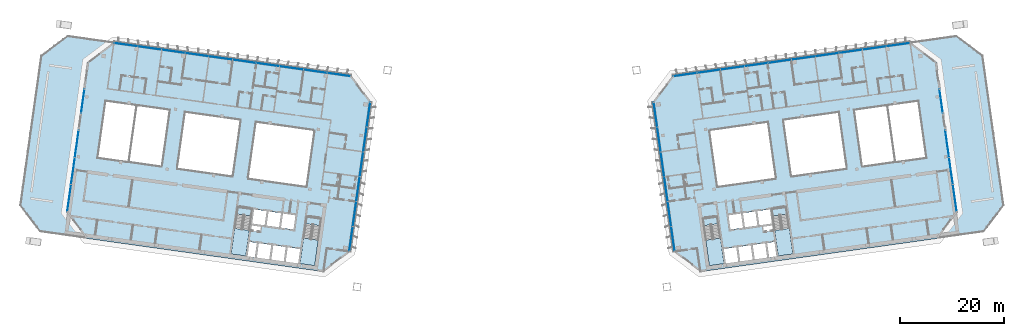
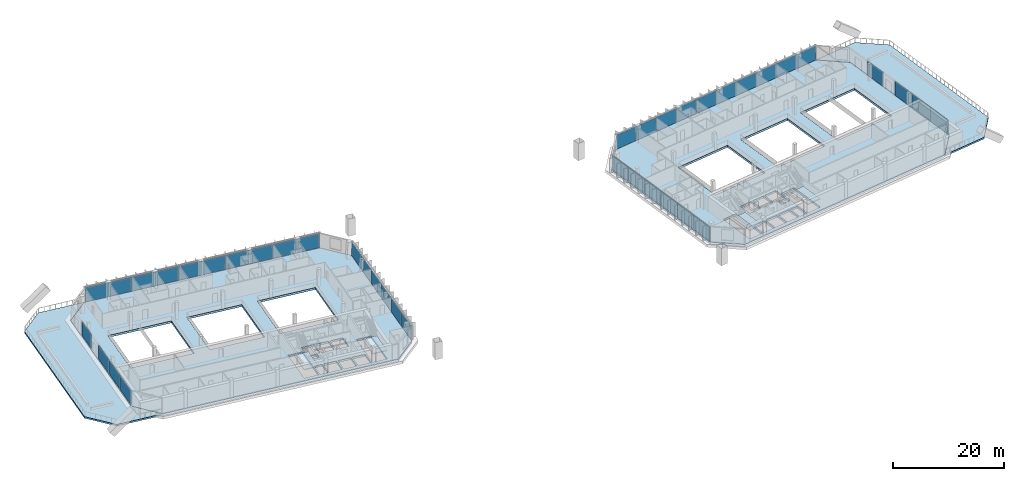
# One storey, part 12 of 23: 40 plates, 8 slabs, 12 elements without a shape of their own.
"""IFC4 building model written with IfcOpenShell, lengths in metres."""

from ifc_helpers import new_model, si_unit, direction, frame, origin, origin_2d, place, context, subcontext, project, spatial, polyline, rectangle, outline, extrude, material, layer, layer_set, type_object, element, aggregate, save


model = new_model("IFC4")

# Units and contexts
model_context = context("Model", 3, precision=1e-05, world=origin(), true_north=direction((0.0, 1.0)))
body_context = subcontext(model_context, "Body", "Model", "MODEL_VIEW")
ifc_project = project(units=[si_unit("LENGTHUNIT", "METRE"), si_unit("AREAUNIT", "SQUARE_METRE"), si_unit("VOLUMEUNIT", "CUBIC_METRE"), si_unit("PLANEANGLEUNIT", "RADIAN"), si_unit("MASSUNIT", "GRAM", prefix="KILO")], contexts=[model_context])

# Site, building, storey
site_placement = place(None, origin())
site = spatial("IfcSite", under=ifc_project, at=site_placement, CompositionType="ELEMENT")
building_placement = place(site_placement, origin())
building = spatial("IfcBuilding", under=site, at=building_placement, Name="Mirante Cascada Hotel Towers", CompositionType="ELEMENT")
storey_placement = place(building_placement, frame((0.0, 0.0, 180.2)))
storey = spatial("IfcBuildingStorey", under=building, at=storey_placement, Name="L42", CompositionType="ELEMENT", Elevation=180.2)

# Curtain wall, plates
ifc_material_1 = material(Name="Aluminium mullion and transom frame with clear laminated glass", Category="aluminium")
curtain_wall_type_1 = type_object("IfcCurtainWallType", Name="Ribbon curtain wall ECW1", PredefinedType="NOTDEFINED", material=ifc_material_1)
curtain_wall_1_placement = place(storey_placement, origin())
curtain_wall_1 = element("IfcCurtainWall", 1, at=curtain_wall_1_placement, inside=storey, type_object=curtain_wall_type_1, Name="Front ribbon wall T1 L42", PredefinedType="NOTDEFINED")
ifc_material_2 = material(Name="Clear laminated glass", Category="glass")
ifc_layer_1 = layer(ifc_material_2, 0.036)
ifc_layer_set_1 = layer_set([ifc_layer_1], Name="ECW1 glass panel 36")
plate_type_1 = type_object("IfcPlateType", Name="ECW1 glass panel 36", PredefinedType="CURTAIN_PANEL", material=ifc_layer_set_1)
plate_1_placement = place(storey_placement, frame((-74.0483, 23.2258, 0.1), z_axis=(0.0, 0.0, 1.0), x_axis=(0.9902681, -0.1391731, 0.0)))
plate_1 = element("IfcPlate", 2, at=plate_1_placement, type_object=plate_type_1, Name="ECW1 panel 1", PredefinedType="CURTAIN_PANEL", context=body_context, shape_type="SweptSolid", body=[
    extrude(rectangle(XDim=4.4849, YDim=0.036, at=origin_2d()), origin(), (0.0, 0.0, 1.0), 3.15),
])
plate_2_placement = place(storey_placement, frame((-69.5267, 22.5904, 0.1), z_axis=(0.0, 0.0, 1.0), x_axis=(0.9902681, -0.1391731, 0.0)))
plate_2 = element("IfcPlate", 3, at=plate_2_placement, type_object=plate_type_1, Name="ECW1 panel 2", PredefinedType="CURTAIN_PANEL", context=body_context, shape_type="SweptSolid", body=[
    extrude(rectangle(XDim=4.5174, YDim=0.036, at=origin_2d()), origin(), (0.0, 0.0, 1.0), 3.15),
])
plate_3_placement = place(storey_placement, frame((-64.9889, 21.9526, 0.1), z_axis=(0.0, 0.0, 1.0), x_axis=(0.9902681, -0.1391731, 0.0)))
plate_3 = element("IfcPlate", 4, at=plate_3_placement, type_object=plate_type_1, Name="ECW1 panel 3", PredefinedType="CURTAIN_PANEL", context=body_context, shape_type="SweptSolid", body=[
    extrude(rectangle(XDim=4.5174, YDim=0.036, at=origin_2d()), origin(), (0.0, 0.0, 1.0), 3.15),
])
plate_4_placement = place(storey_placement, frame((-60.4511, 21.3149, 0.1), z_axis=(0.0, 0.0, 1.0), x_axis=(0.9902681, -0.1391731, 0.0)))
plate_4 = element("IfcPlate", 5, at=plate_4_placement, type_object=plate_type_1, Name="ECW1 panel 4", PredefinedType="CURTAIN_PANEL", context=body_context, shape_type="SweptSolid", body=[
    extrude(rectangle(XDim=4.5174, YDim=0.036, at=origin_2d()), origin(), (0.0, 0.0, 1.0), 3.15),
])
plate_5_placement = place(storey_placement, frame((-55.9133, 20.6771, 0.1), z_axis=(0.0, 0.0, 1.0), x_axis=(0.9902681, -0.1391731, 0.0)))
plate_5 = element("IfcPlate", 6, at=plate_5_placement, type_object=plate_type_1, Name="ECW1 panel 5", PredefinedType="CURTAIN_PANEL", context=body_context, shape_type="SweptSolid", body=[
    extrude(rectangle(XDim=4.5174, YDim=0.036, at=origin_2d()), origin(), (0.0, 0.0, 1.0), 3.15),
])
plate_6_placement = place(storey_placement, frame((-51.3755, 20.0394, 0.1), z_axis=(0.0, 0.0, 1.0), x_axis=(0.9902681, -0.1391731, 0.0)))
plate_6 = element("IfcPlate", 7, at=plate_6_placement, type_object=plate_type_1, Name="ECW1 panel 6", PredefinedType="CURTAIN_PANEL", context=body_context, shape_type="SweptSolid", body=[
    extrude(rectangle(XDim=4.5174, YDim=0.036, at=origin_2d()), origin(), (0.0, 0.0, 1.0), 3.15),
])
plate_7_placement = place(storey_placement, frame((-46.8378, 19.4016, 0.1), z_axis=(0.0, 0.0, 1.0), x_axis=(0.9902681, -0.1391731, 0.0)))
plate_7 = element("IfcPlate", 8, at=plate_7_placement, type_object=plate_type_1, Name="ECW1 panel 7", PredefinedType="CURTAIN_PANEL", context=body_context, shape_type="SweptSolid", body=[
    extrude(rectangle(XDim=4.5174, YDim=0.036, at=origin_2d()), origin(), (0.0, 0.0, 1.0), 3.15),
])
plate_8_placement = place(storey_placement, frame((-42.3, 18.7639, 0.1), z_axis=(0.0, 0.0, 1.0), x_axis=(0.9902681, -0.1391731, 0.0)))
plate_8 = element("IfcPlate", 9, at=plate_8_placement, type_object=plate_type_1, Name="ECW1 panel 8", PredefinedType="CURTAIN_PANEL", context=body_context, shape_type="SweptSolid", body=[
    extrude(rectangle(XDim=4.5174, YDim=0.036, at=origin_2d()), origin(), (0.0, 0.0, 1.0), 3.15),
])
plate_9_placement = place(storey_placement, frame((-37.7622, 18.1262, 0.1), z_axis=(0.0, 0.0, 1.0), x_axis=(0.9902681, -0.1391731, 0.0)))
plate_9 = element("IfcPlate", 10, at=plate_9_placement, type_object=plate_type_1, Name="ECW1 panel 9", PredefinedType="CURTAIN_PANEL", context=body_context, shape_type="SweptSolid", body=[
    extrude(rectangle(XDim=4.5174, YDim=0.036, at=origin_2d()), origin(), (0.0, 0.0, 1.0), 3.15),
])
plate_10_placement = place(storey_placement, frame((-33.2405, 17.4907, 0.1), z_axis=(0.0, 0.0, 1.0), x_axis=(0.9902681, -0.1391731, 0.0)))
plate_10 = element("IfcPlate", 11, at=plate_10_placement, type_object=plate_type_1, Name="ECW1 panel 10", PredefinedType="CURTAIN_PANEL", context=body_context, shape_type="SweptSolid", body=[
    extrude(rectangle(XDim=4.4849, YDim=0.036, at=origin_2d()), origin(), (0.0, 0.0, 1.0), 3.15),
])
aggregate(curtain_wall_1, [plate_1, plate_2, plate_3, plate_4, plate_5, plate_6, plate_7, plate_8, plate_9, plate_10])

curtain_wall_2_placement = place(storey_placement, origin())
curtain_wall_2 = element("IfcCurtainWall", 12, at=curtain_wall_2_placement, inside=storey, type_object=curtain_wall_type_1, Name="Front ribbon wall T2 L42", PredefinedType="NOTDEFINED")
plate_11_placement = place(storey_placement, frame((74.0483, 23.2258, 0.1), z_axis=(0.0, 0.0, 1.0), x_axis=(-0.9902681, -0.1391731, 0.0)))
plate_11 = element("IfcPlate", 13, at=plate_11_placement, type_object=plate_type_1, Name="ECW1 panel 1", PredefinedType="CURTAIN_PANEL", context=body_context, shape_type="SweptSolid", body=[
    extrude(rectangle(XDim=4.4849, YDim=0.036, at=origin_2d()), origin(), (0.0, 0.0, 1.0), 3.15),
])
plate_12_placement = place(storey_placement, frame((69.5267, 22.5904, 0.1), z_axis=(0.0, 0.0, 1.0), x_axis=(-0.9902681, -0.1391731, 0.0)))
plate_12 = element("IfcPlate", 14, at=plate_12_placement, type_object=plate_type_1, Name="ECW1 panel 2", PredefinedType="CURTAIN_PANEL", context=body_context, shape_type="SweptSolid", body=[
    extrude(rectangle(XDim=4.5174, YDim=0.036, at=origin_2d()), origin(), (0.0, 0.0, 1.0), 3.15),
])
plate_13_placement = place(storey_placement, frame((64.9889, 21.9526, 0.1), z_axis=(0.0, 0.0, 1.0), x_axis=(-0.9902681, -0.1391731, 0.0)))
plate_13 = element("IfcPlate", 15, at=plate_13_placement, type_object=plate_type_1, Name="ECW1 panel 3", PredefinedType="CURTAIN_PANEL", context=body_context, shape_type="SweptSolid", body=[
    extrude(rectangle(XDim=4.5174, YDim=0.036, at=origin_2d()), origin(), (0.0, 0.0, 1.0), 3.15),
])
plate_14_placement = place(storey_placement, frame((60.4511, 21.3149, 0.1), z_axis=(0.0, 0.0, 1.0), x_axis=(-0.9902681, -0.1391731, 0.0)))
plate_14 = element("IfcPlate", 16, at=plate_14_placement, type_object=plate_type_1, Name="ECW1 panel 4", PredefinedType="CURTAIN_PANEL", context=body_context, shape_type="SweptSolid", body=[
    extrude(rectangle(XDim=4.5174, YDim=0.036, at=origin_2d()), origin(), (0.0, 0.0, 1.0), 3.15),
])
plate_15_placement = place(storey_placement, frame((55.9133, 20.6771, 0.1), z_axis=(0.0, 0.0, 1.0), x_axis=(-0.9902681, -0.1391731, 0.0)))
plate_15 = element("IfcPlate", 17, at=plate_15_placement, type_object=plate_type_1, Name="ECW1 panel 5", PredefinedType="CURTAIN_PANEL", context=body_context, shape_type="SweptSolid", body=[
    extrude(rectangle(XDim=4.5174, YDim=0.036, at=origin_2d()), origin(), (0.0, 0.0, 1.0), 3.15),
])
plate_16_placement = place(storey_placement, frame((51.3755, 20.0394, 0.1), z_axis=(0.0, 0.0, 1.0), x_axis=(-0.9902681, -0.1391731, 0.0)))
plate_16 = element("IfcPlate", 18, at=plate_16_placement, type_object=plate_type_1, Name="ECW1 panel 6", PredefinedType="CURTAIN_PANEL", context=body_context, shape_type="SweptSolid", body=[
    extrude(rectangle(XDim=4.5174, YDim=0.036, at=origin_2d()), origin(), (0.0, 0.0, 1.0), 3.15),
])
plate_17_placement = place(storey_placement, frame((46.8378, 19.4016, 0.1), z_axis=(0.0, 0.0, 1.0), x_axis=(-0.9902681, -0.1391731, 0.0)))
plate_17 = element("IfcPlate", 19, at=plate_17_placement, type_object=plate_type_1, Name="ECW1 panel 7", PredefinedType="CURTAIN_PANEL", context=body_context, shape_type="SweptSolid", body=[
    extrude(rectangle(XDim=4.5174, YDim=0.036, at=origin_2d()), origin(), (0.0, 0.0, 1.0), 3.15),
])
plate_18_placement = place(storey_placement, frame((42.3, 18.7639, 0.1), z_axis=(0.0, 0.0, 1.0), x_axis=(-0.9902681, -0.1391731, 0.0)))
plate_18 = element("IfcPlate", 20, at=plate_18_placement, type_object=plate_type_1, Name="ECW1 panel 8", PredefinedType="CURTAIN_PANEL", context=body_context, shape_type="SweptSolid", body=[
    extrude(rectangle(XDim=4.5174, YDim=0.036, at=origin_2d()), origin(), (0.0, 0.0, 1.0), 3.15),
])
plate_19_placement = place(storey_placement, frame((37.7622, 18.1262, 0.1), z_axis=(0.0, 0.0, 1.0), x_axis=(-0.9902681, -0.1391731, 0.0)))
plate_19 = element("IfcPlate", 21, at=plate_19_placement, type_object=plate_type_1, Name="ECW1 panel 9", PredefinedType="CURTAIN_PANEL", context=body_context, shape_type="SweptSolid", body=[
    extrude(rectangle(XDim=4.5174, YDim=0.036, at=origin_2d()), origin(), (0.0, 0.0, 1.0), 3.15),
])
plate_20_placement = place(storey_placement, frame((33.2405, 17.4907, 0.1), z_axis=(0.0, 0.0, 1.0), x_axis=(-0.9902681, -0.1391731, 0.0)))
plate_20 = element("IfcPlate", 22, at=plate_20_placement, type_object=plate_type_1, Name="ECW1 panel 10", PredefinedType="CURTAIN_PANEL", context=body_context, shape_type="SweptSolid", body=[
    extrude(rectangle(XDim=4.4849, YDim=0.036, at=origin_2d()), origin(), (0.0, 0.0, 1.0), 3.15),
])
aggregate(curtain_wall_2, [plate_11, plate_12, plate_13, plate_14, plate_15, plate_16, plate_17, plate_18, plate_19, plate_20])

ifc_material_3 = material(Name="Aluminium mullion and transom frame with clear laminated glass", Category="aluminium")
curtain_wall_type_2 = type_object("IfcCurtainWallType", Name="End ribbon curtain wall ECW2", PredefinedType="NOTDEFINED", material=ifc_material_3)
curtain_wall_3_placement = place(storey_placement, origin())
curtain_wall_3 = element("IfcCurtainWall", 23, at=curtain_wall_3_placement, inside=storey, type_object=curtain_wall_type_2, Name="Inner end wall T1 L42", PredefinedType="NOTDEFINED")
ifc_material_4 = material(Name="Clear laminated glass", Category="glass")
ifc_layer_2 = layer(ifc_material_4, 0.034)
ifc_layer_set_2 = layer_set([ifc_layer_2], Name="ECW2 glass panel 34")
plate_type_2 = type_object("IfcPlateType", Name="ECW2 glass panel 34", PredefinedType="CURTAIN_PANEL", material=ifc_layer_set_2)
plate_21_placement = place(storey_placement, frame((-27.5375, 9.7873, 0.1), z_axis=(0.0, 0.0, 1.0), x_axis=(-0.1391731, -0.9902681, 0.0)))
plate_21 = element("IfcPlate", 24, at=plate_21_placement, type_object=plate_type_2, Name="ECW2 panel 1", PredefinedType="CURTAIN_PANEL", context=body_context, shape_type="SweptSolid", body=[
    extrude(rectangle(XDim=4.7151, YDim=0.034, at=origin_2d()), origin(), (0.0, 0.0, 1.0), 3.15),
])
plate_22_placement = place(storey_placement, frame((-28.2051, 5.0376, 0.1), z_axis=(0.0, 0.0, 1.0), x_axis=(-0.1391731, -0.9902681, 0.0)))
plate_22 = element("IfcPlate", 25, at=plate_22_placement, type_object=plate_type_2, Name="ECW2 panel 2", PredefinedType="CURTAIN_PANEL", context=body_context, shape_type="SweptSolid", body=[
    extrude(rectangle(XDim=4.7476, YDim=0.034, at=origin_2d()), origin(), (0.0, 0.0, 1.0), 3.15),
])
plate_23_placement = place(storey_placement, frame((-28.8748, 0.2718, 0.1), z_axis=(0.0, 0.0, 1.0), x_axis=(-0.1391731, -0.9902681, 0.0)))
plate_23 = element("IfcPlate", 26, at=plate_23_placement, type_object=plate_type_2, Name="ECW2 panel 3", PredefinedType="CURTAIN_PANEL", context=body_context, shape_type="SweptSolid", body=[
    extrude(rectangle(XDim=4.7476, YDim=0.034, at=origin_2d()), origin(), (0.0, 0.0, 1.0), 3.15),
])
plate_24_placement = place(storey_placement, frame((-29.5446, -4.494, 0.1), z_axis=(0.0, 0.0, 1.0), x_axis=(-0.1391731, -0.9902681, 0.0)))
plate_24 = element("IfcPlate", 27, at=plate_24_placement, type_object=plate_type_2, Name="ECW2 panel 4", PredefinedType="CURTAIN_PANEL", context=body_context, shape_type="SweptSolid", body=[
    extrude(rectangle(XDim=4.7476, YDim=0.034, at=origin_2d()), origin(), (0.0, 0.0, 1.0), 3.15),
])
plate_25_placement = place(storey_placement, frame((-30.2144, -9.2597, 0.1), z_axis=(0.0, 0.0, 1.0), x_axis=(-0.1391731, -0.9902681, 0.0)))
plate_25 = element("IfcPlate", 28, at=plate_25_placement, type_object=plate_type_2, Name="ECW2 panel 5", PredefinedType="CURTAIN_PANEL", context=body_context, shape_type="SweptSolid", body=[
    extrude(rectangle(XDim=4.7476, YDim=0.034, at=origin_2d()), origin(), (0.0, 0.0, 1.0), 3.15),
])
plate_26_placement = place(storey_placement, frame((-30.8819, -14.0094, 0.1), z_axis=(0.0, 0.0, 1.0), x_axis=(-0.1391731, -0.9902681, 0.0)))
plate_26 = element("IfcPlate", 29, at=plate_26_placement, type_object=plate_type_2, Name="ECW2 panel 6", PredefinedType="CURTAIN_PANEL", context=body_context, shape_type="SweptSolid", body=[
    extrude(rectangle(XDim=4.7151, YDim=0.034, at=origin_2d()), origin(), (0.0, 0.0, 1.0), 3.15),
])
aggregate(curtain_wall_3, [plate_21, plate_22, plate_23, plate_24, plate_25, plate_26])

curtain_wall_4_placement = place(storey_placement, origin())
curtain_wall_4 = element("IfcCurtainWall", 30, at=curtain_wall_4_placement, inside=storey, type_object=curtain_wall_type_2, Name="Inner end wall T2 L42", PredefinedType="NOTDEFINED")
plate_27_placement = place(storey_placement, frame((27.5375, 9.7873, 0.1), z_axis=(0.0, 0.0, 1.0), x_axis=(0.1391731, -0.9902681, 0.0)))
plate_27 = element("IfcPlate", 31, at=plate_27_placement, type_object=plate_type_2, Name="ECW2 panel 1", PredefinedType="CURTAIN_PANEL", context=body_context, shape_type="SweptSolid", body=[
    extrude(rectangle(XDim=4.7151, YDim=0.034, at=origin_2d()), origin(), (0.0, 0.0, 1.0), 3.15),
])
plate_28_placement = place(storey_placement, frame((28.2051, 5.0376, 0.1), z_axis=(0.0, 0.0, 1.0), x_axis=(0.1391731, -0.9902681, 0.0)))
plate_28 = element("IfcPlate", 32, at=plate_28_placement, type_object=plate_type_2, Name="ECW2 panel 2", PredefinedType="CURTAIN_PANEL", context=body_context, shape_type="SweptSolid", body=[
    extrude(rectangle(XDim=4.7476, YDim=0.034, at=origin_2d()), origin(), (0.0, 0.0, 1.0), 3.15),
])
plate_29_placement = place(storey_placement, frame((28.8748, 0.2718, 0.1), z_axis=(0.0, 0.0, 1.0), x_axis=(0.1391731, -0.9902681, 0.0)))
plate_29 = element("IfcPlate", 33, at=plate_29_placement, type_object=plate_type_2, Name="ECW2 panel 3", PredefinedType="CURTAIN_PANEL", context=body_context, shape_type="SweptSolid", body=[
    extrude(rectangle(XDim=4.7476, YDim=0.034, at=origin_2d()), origin(), (0.0, 0.0, 1.0), 3.15),
])
plate_30_placement = place(storey_placement, frame((29.5446, -4.494, 0.1), z_axis=(0.0, 0.0, 1.0), x_axis=(0.1391731, -0.9902681, 0.0)))
plate_30 = element("IfcPlate", 34, at=plate_30_placement, type_object=plate_type_2, Name="ECW2 panel 4", PredefinedType="CURTAIN_PANEL", context=body_context, shape_type="SweptSolid", body=[
    extrude(rectangle(XDim=4.7476, YDim=0.034, at=origin_2d()), origin(), (0.0, 0.0, 1.0), 3.15),
])
plate_31_placement = place(storey_placement, frame((30.2144, -9.2597, 0.1), z_axis=(0.0, 0.0, 1.0), x_axis=(0.1391731, -0.9902681, 0.0)))
plate_31 = element("IfcPlate", 35, at=plate_31_placement, type_object=plate_type_2, Name="ECW2 panel 5", PredefinedType="CURTAIN_PANEL", context=body_context, shape_type="SweptSolid", body=[
    extrude(rectangle(XDim=4.7476, YDim=0.034, at=origin_2d()), origin(), (0.0, 0.0, 1.0), 3.15),
])
plate_32_placement = place(storey_placement, frame((30.8819, -14.0094, 0.1), z_axis=(0.0, 0.0, 1.0), x_axis=(0.1391731, -0.9902681, 0.0)))
plate_32 = element("IfcPlate", 36, at=plate_32_placement, type_object=plate_type_2, Name="ECW2 panel 6", PredefinedType="CURTAIN_PANEL", context=body_context, shape_type="SweptSolid", body=[
    extrude(rectangle(XDim=4.7151, YDim=0.034, at=origin_2d()), origin(), (0.0, 0.0, 1.0), 3.15),
])
aggregate(curtain_wall_4, [plate_27, plate_28, plate_29, plate_30, plate_31, plate_32])

ifc_material_5 = material(Name="Aluminium mullion and transom frame with clear laminated glass", Category="aluminium")
curtain_wall_type_3 = type_object("IfcCurtainWallType", Name="Sky garden curtain wall ECW4", PredefinedType="NOTDEFINED", material=ifc_material_5)
curtain_wall_5_placement = place(storey_placement, origin())
curtain_wall_5 = element("IfcCurtainWall", 37, at=curtain_wall_5_placement, inside=storey, type_object=curtain_wall_type_3, Name="Sky garden wall T1 L42 run 1", PredefinedType="NOTDEFINED")
ifc_material_6 = material(Name="Clear laminated glass", Category="glass")
ifc_layer_3 = layer(ifc_material_6, 0.038)
ifc_layer_set_3 = layer_set([ifc_layer_3], Name="ECW4 glass panel 38")
plate_type_3 = type_object("IfcPlateType", Name="ECW4 glass panel 38", PredefinedType="CURTAIN_PANEL", material=ifc_layer_set_3)
plate_33_placement = place(storey_placement, frame((-84.9676, -6.1869, 0.11), z_axis=(0.0, 0.0, 1.0), x_axis=(0.1391731, 0.9902681, 0.0)))
plate_33 = element("IfcPlate", 38, at=plate_33_placement, type_object=plate_type_3, Name="ECW4 panel 1", PredefinedType="CURTAIN_PANEL", context=body_context, shape_type="SweptSolid", body=[
    extrude(rectangle(XDim=5.1335, YDim=0.038, at=origin_2d()), origin(), (0.0, 0.0, 1.0), 3.13),
])
plate_34_placement = place(storey_placement, frame((-84.2402, -1.0105, 0.11), z_axis=(0.0, 0.0, 1.0), x_axis=(0.1391731, 0.9902681, 0.0)))
plate_34 = element("IfcPlate", 39, at=plate_34_placement, type_object=plate_type_3, Name="ECW4 panel 2", PredefinedType="CURTAIN_PANEL", context=body_context, shape_type="SweptSolid", body=[
    extrude(rectangle(XDim=5.171, YDim=0.038, at=origin_2d()), origin(), (0.0, 0.0, 1.0), 3.13),
])
plate_35_placement = place(storey_placement, frame((-83.5127, 4.1658, 0.11), z_axis=(0.0, 0.0, 1.0), x_axis=(0.1391731, 0.9902681, 0.0)))
plate_35 = element("IfcPlate", 40, at=plate_35_placement, type_object=plate_type_3, Name="ECW4 panel 3", PredefinedType="CURTAIN_PANEL", context=body_context, shape_type="SweptSolid", body=[
    extrude(rectangle(XDim=5.1335, YDim=0.038, at=origin_2d()), origin(), (0.0, 0.0, 1.0), 3.13),
])
aggregate(curtain_wall_5, [plate_33, plate_34, plate_35])

# Curtain wall, plate
curtain_wall_6_placement = place(storey_placement, origin())
curtain_wall_6 = element("IfcCurtainWall", 41, at=curtain_wall_6_placement, inside=storey, type_object=curtain_wall_type_3, Name="Sky garden wall T1 L42 run 3", PredefinedType="NOTDEFINED")
plate_36_placement = place(storey_placement, frame((-82.3517, 12.4263, 0.11), z_axis=(0.0, 0.0, 1.0), x_axis=(0.1391731, 0.9902681, 0.0)))
plate_36 = element("IfcPlate", 42, at=plate_36_placement, type_object=plate_type_3, Name="ECW4 panel 1", PredefinedType="CURTAIN_PANEL", context=body_context, shape_type="SweptSolid", body=[
    extrude(rectangle(XDim=4.45, YDim=0.038, at=origin_2d()), origin(), (0.0, 0.0, 1.0), 3.13),
])
aggregate(curtain_wall_6, [plate_36])

# Curtain wall, plates
curtain_wall_7_placement = place(storey_placement, origin())
curtain_wall_7 = element("IfcCurtainWall", 43, at=curtain_wall_7_placement, inside=storey, type_object=curtain_wall_type_3, Name="Sky garden wall T2 L42 run 1", PredefinedType="NOTDEFINED")
plate_37_placement = place(storey_placement, frame((84.9676, -6.1869, 0.11), z_axis=(0.0, 0.0, 1.0), x_axis=(-0.1391731, 0.9902681, 0.0)))
plate_37 = element("IfcPlate", 44, at=plate_37_placement, type_object=plate_type_3, Name="ECW4 panel 1", PredefinedType="CURTAIN_PANEL", context=body_context, shape_type="SweptSolid", body=[
    extrude(rectangle(XDim=5.1335, YDim=0.038, at=origin_2d()), origin(), (0.0, 0.0, 1.0), 3.13),
])
plate_38_placement = place(storey_placement, frame((84.2402, -1.0105, 0.11), z_axis=(0.0, 0.0, 1.0), x_axis=(-0.1391731, 0.9902681, 0.0)))
plate_38 = element("IfcPlate", 45, at=plate_38_placement, type_object=plate_type_3, Name="ECW4 panel 2", PredefinedType="CURTAIN_PANEL", context=body_context, shape_type="SweptSolid", body=[
    extrude(rectangle(XDim=5.171, YDim=0.038, at=origin_2d()), origin(), (0.0, 0.0, 1.0), 3.13),
])
plate_39_placement = place(storey_placement, frame((83.5127, 4.1658, 0.11), z_axis=(0.0, 0.0, 1.0), x_axis=(-0.1391731, 0.9902681, 0.0)))
plate_39 = element("IfcPlate", 46, at=plate_39_placement, type_object=plate_type_3, Name="ECW4 panel 3", PredefinedType="CURTAIN_PANEL", context=body_context, shape_type="SweptSolid", body=[
    extrude(rectangle(XDim=5.1335, YDim=0.038, at=origin_2d()), origin(), (0.0, 0.0, 1.0), 3.13),
])
aggregate(curtain_wall_7, [plate_37, plate_38, plate_39])

# Curtain wall, plate
curtain_wall_8_placement = place(storey_placement, origin())
curtain_wall_8 = element("IfcCurtainWall", 47, at=curtain_wall_8_placement, inside=storey, type_object=curtain_wall_type_3, Name="Sky garden wall T2 L42 run 3", PredefinedType="NOTDEFINED")
plate_40_placement = place(storey_placement, frame((82.3517, 12.4263, 0.11), z_axis=(0.0, 0.0, 1.0), x_axis=(-0.1391731, 0.9902681, 0.0)))
plate_40 = element("IfcPlate", 48, at=plate_40_placement, type_object=plate_type_3, Name="ECW4 panel 1", PredefinedType="CURTAIN_PANEL", context=body_context, shape_type="SweptSolid", body=[
    extrude(rectangle(XDim=4.45, YDim=0.038, at=origin_2d()), origin(), (0.0, 0.0, 1.0), 3.13),
])
aggregate(curtain_wall_8, [plate_40])

# Stair, slab
ifc_material_7 = material(Name="Concrete C35/45", Category="concrete")
stair_type = type_object("IfcStairType", Name="Exit stair half-turn 1350 concrete C35/45", PredefinedType="HALF_TURN_STAIR", material=ifc_material_7)
stair_1_placement = place(storey_placement, origin())
stair_1 = element("IfcStair", 49, at=stair_1_placement, inside=storey, type_object=stair_type, Name="L42 Exit stair A", PredefinedType="HALF_TURN_STAIR")
ifc_material_8 = material(Name="Concrete C35/45", Category="concrete")
ifc_layer_4 = layer(ifc_material_8, 0.2)
ifc_layer_set_4 = layer_set([ifc_layer_4], Name="Exit stair landing 200 concrete C35/45")
slab_type_1 = type_object("IfcSlabType", Name="Exit stair landing 200 concrete C35/45", PredefinedType="LANDING", material=ifc_layer_set_4)
slab_1_placement = place(storey_placement, frame((0.0, 0.0, 1.7)))
slab_1 = element("IfcSlab", 50, at=slab_1_placement, type_object=slab_type_1, Name="ST1-A landing 1", PredefinedType="LANDING", context=body_context, shape_type="SweptSolid", body=[
    extrude(outline(polyline([(-39.9987, -13.8659), (-40.6887, -18.7757), (-37.8665, -19.1723), (-37.1765, -14.2626), (-39.9987, -13.8659)])), origin(), (0.0, 0.0, 1.0), 0.2),
])
aggregate(stair_1, [slab_1])

stair_2_placement = place(storey_placement, origin())
stair_2 = element("IfcStair", 51, at=stair_2_placement, inside=storey, type_object=stair_type, Name="L42 Exit stair B", PredefinedType="HALF_TURN_STAIR")
slab_2_placement = place(storey_placement, frame((0.0, 0.0, 1.7)))
slab_2 = element("IfcSlab", 52, at=slab_2_placement, type_object=slab_type_1, Name="ST1-B landing 1", PredefinedType="LANDING", context=body_context, shape_type="SweptSolid", body=[
    extrude(outline(polyline([(-53.2188, -12.008), (-53.9088, -16.9177), (-51.0866, -17.3144), (-50.3965, -12.4046), (-53.2188, -12.008)])), origin(), (0.0, 0.0, 1.0), 0.2),
])
aggregate(stair_2, [slab_2])

stair_3_placement = place(storey_placement, origin())
stair_3 = element("IfcStair", 53, at=stair_3_placement, inside=storey, type_object=stair_type, Name="L42 Exit stair A", PredefinedType="HALF_TURN_STAIR")
slab_3_placement = place(storey_placement, frame((0.0, 0.0, 1.7)))
slab_3 = element("IfcSlab", 54, at=slab_3_placement, type_object=slab_type_1, Name="ST2-A landing 1", PredefinedType="LANDING", context=body_context, shape_type="SweptSolid", body=[
    extrude(outline(polyline([(37.1765, -14.2626), (37.8665, -19.1723), (40.6887, -18.7757), (39.9987, -13.8659), (37.1765, -14.2626)])), origin(), (0.0, 0.0, 1.0), 0.2),
])
aggregate(stair_3, [slab_3])

stair_4_placement = place(storey_placement, origin())
stair_4 = element("IfcStair", 55, at=stair_4_placement, inside=storey, type_object=stair_type, Name="L42 Exit stair B", PredefinedType="HALF_TURN_STAIR")
slab_4_placement = place(storey_placement, frame((0.0, 0.0, 1.7)))
slab_4 = element("IfcSlab", 56, at=slab_4_placement, type_object=slab_type_1, Name="ST2-B landing 1", PredefinedType="LANDING", context=body_context, shape_type="SweptSolid", body=[
    extrude(outline(polyline([(50.3965, -12.4046), (51.0866, -17.3144), (53.9088, -16.9177), (53.2188, -12.008), (50.3965, -12.4046)])), origin(), (0.0, 0.0, 1.0), 0.2),
])
aggregate(stair_4, [slab_4])

# Slabs
ifc_material_9 = material(Name="Concrete C40/50", Category="concrete")
ifc_layer_5 = layer(ifc_material_9, 0.45)
ifc_layer_set_5 = layer_set([ifc_layer_5], Name="Post-tensioned flat plate 450 Concrete C40/50")
slab_type_2 = type_object("IfcSlabType", Name="Post-tensioned flat plate 450 Concrete C40/50", PredefinedType="FLOOR", material=ifc_layer_set_5)
slab_5_placement = place(storey_placement, frame((0.0, 0.0, -0.45)))
element("IfcSlab", 57, at=slab_5_placement, inside=storey, type_object=slab_type_2, Name="Floor T1 L42", PredefinedType="FLOOR", context=body_context, shape_type="SweptSolid", body=[
    extrude(outline(polyline([(-31.0792, -16.4908), (-27.0432, 12.2269), (-30.8731, 17.3094), (-76.374, 23.7042), (-76.374, 23.7042), (-76.374, 23.7042), (-76.374, 23.7042), (-76.374, 23.7042), (-76.374, 23.7042), (-76.374, 23.7042), (-76.374, 23.7042), (-76.374, 23.7042), (-81.4565, 19.8742), (-85.4925, -8.8435), (-81.6626, -13.926), (-81.6626, -13.926), (-81.6626, -13.926), (-81.6626, -13.926), (-81.6626, -13.926), (-81.6626, -13.926), (-81.6626, -13.926), (-81.6626, -13.926), (-81.6626, -13.926), (-36.1617, -20.3208), (-31.0792, -16.4908)]), holes=[polyline([(-40.5961, -15.9612), (-40.9858, -18.7339), (-43.4615, -18.386), (-43.0718, -15.6132), (-40.5961, -15.9612)]), polyline([(-43.3689, -15.5715), (-43.7586, -18.3442), (-46.2342, -17.9963), (-45.8446, -15.2236), (-43.3689, -15.5715)]), polyline([(-46.1416, -15.1818), (-46.5313, -17.9546), (-49.007, -17.6066), (-48.6173, -14.8339), (-46.1416, -15.1818)]), polyline([(-36.7887, -11.5037), (-37.8665, -19.1723), (-40.6887, -18.7757), (-39.611, -11.107), (-36.7887, -11.5037)]), polyline([(-43.9775, -9.124), (-41.5018, -9.472), (-41.8915, -12.2447), (-44.3672, -11.8968), (-43.9775, -9.124)]), polyline([(-44.2746, -9.0823), (-44.6643, -11.855), (-47.1399, -11.5071), (-46.7503, -8.7344), (-44.2746, -9.0823)]), polyline([(-50.3998, -14.5834), (-48.9144, -14.7921), (-49.3041, -17.5649), (-50.7895, -17.3561), (-50.3998, -14.5834)]), polyline([(-50.0088, -9.6457), (-51.0866, -17.3144), (-53.9088, -16.9177), (-52.8311, -9.2491), (-50.0088, -9.6457)]), polyline([(-48.1472, -11.6685), (-48.2829, -12.634), (-50.0901, -12.38), (-49.9544, -11.4145), (-48.1472, -11.6685)]), polyline([(-49.523, -8.3447), (-47.0473, -8.6926), (-47.437, -11.4654), (-49.9127, -11.1174), (-49.523, -8.3447)]), polyline([(-65.6872, 10.6902), (-65.6872, 10.6902), (-67.2181, -0.2028), (-67.2181, -0.2028), (-79.4915, 1.5222), (-77.9606, 12.4151), (-65.6872, 10.6902)]), polyline([(-52.0838, 8.7784), (-53.6147, -2.1146), (-53.6147, -2.1146), (-64.2453, -0.6206), (-64.2453, -0.6206), (-62.7144, 10.2724), (-62.7144, 10.2724), (-52.0838, 8.7784)]), polyline([(-37.8547, 6.7786), (-39.3856, -4.1144), (-50.642, -2.5324), (-50.642, -2.5324), (-49.1111, 8.3606), (-37.8547, 6.7786)])]), origin(), (0.0, 0.0, 1.0), 0.45),
])
slab_6_placement = place(storey_placement, frame((0.0, 0.0, -0.45)))
element("IfcSlab", 58, at=slab_6_placement, inside=storey, type_object=slab_type_2, Name="Floor T2 L42", PredefinedType="FLOOR", context=body_context, shape_type="SweptSolid", body=[
    extrude(outline(polyline([(31.0792, -16.4908), (27.0432, 12.2269), (30.8731, 17.3094), (76.374, 23.7042), (76.374, 23.7042), (76.374, 23.7042), (76.374, 23.7042), (76.374, 23.7042), (76.374, 23.7042), (76.374, 23.7042), (76.374, 23.7042), (76.374, 23.7042), (81.4565, 19.8742), (85.4925, -8.8435), (81.6626, -13.926), (81.6626, -13.926), (81.6626, -13.926), (81.6626, -13.926), (81.6626, -13.926), (81.6626, -13.926), (81.6626, -13.926), (81.6626, -13.926), (81.6626, -13.926), (36.1617, -20.3208), (31.0792, -16.4908)]), holes=[polyline([(40.5961, -15.9612), (40.9858, -18.7339), (43.4615, -18.386), (43.0718, -15.6132), (40.5961, -15.9612)]), polyline([(43.3689, -15.5715), (43.7586, -18.3442), (46.2342, -17.9963), (45.8446, -15.2236), (43.3689, -15.5715)]), polyline([(46.1416, -15.1818), (46.5313, -17.9546), (49.007, -17.6066), (48.6173, -14.8339), (46.1416, -15.1818)]), polyline([(37.8665, -19.1723), (40.6887, -18.7757), (39.611, -11.107), (36.7887, -11.5037), (37.8665, -19.1723)]), polyline([(43.9775, -9.124), (41.5018, -9.472), (41.8915, -12.2447), (44.3672, -11.8968), (43.9775, -9.124)]), polyline([(44.2746, -9.0823), (44.6643, -11.855), (47.1399, -11.5071), (46.7503, -8.7344), (44.2746, -9.0823)]), polyline([(50.3998, -14.5834), (48.9144, -14.7921), (49.3041, -17.5649), (50.7895, -17.3561), (50.3998, -14.5834)]), polyline([(51.0866, -17.3144), (53.9088, -16.9177), (52.8311, -9.2491), (50.0088, -9.6457), (51.0866, -17.3144)]), polyline([(48.1472, -11.6685), (48.2829, -12.634), (50.0901, -12.38), (49.9544, -11.4145), (48.1472, -11.6685)]), polyline([(49.523, -8.3447), (47.0473, -8.6926), (47.437, -11.4654), (49.9127, -11.1174), (49.523, -8.3447)]), polyline([(77.9606, 12.4151), (79.4915, 1.5222), (67.2181, -0.2028), (67.2181, -0.2028), (65.6872, 10.6902), (65.6872, 10.6902), (77.9606, 12.4151)]), polyline([(62.7144, 10.2724), (62.7144, 10.2724), (64.2453, -0.6206), (64.2453, -0.6206), (53.6147, -2.1146), (53.6147, -2.1146), (52.0838, 8.7784), (62.7144, 10.2724)]), polyline([(39.3856, -4.1144), (37.8547, 6.7786), (49.1111, 8.3606), (50.642, -2.5324), (50.642, -2.5324), (39.3856, -4.1144)])]), origin(), (0.0, 0.0, 1.0), 0.45),
])
ifc_material_10 = material(Name="Concrete C40/50", Category="concrete")
ifc_layer_6 = layer(ifc_material_10, 0.35)
ifc_layer_set_6 = layer_set([ifc_layer_6], Name="Terrace slab 350 Concrete C40/50")
slab_type_3 = type_object("IfcSlabType", Name="Terrace slab 350 Concrete C40/50", PredefinedType="FLOOR", material=ifc_layer_set_6)
slab_7_placement = place(storey_placement, frame((0.0, 0.0, -0.35)))
element("IfcSlab", 59, at=slab_7_placement, inside=storey, type_object=slab_type_3, Name="Terrace T1 L42", PredefinedType="FLOOR", context=body_context, shape_type="SweptSolid", body=[
    extrude(outline(polyline([(-85.2864, 24.9567), (-90.3689, 21.1268), (-94.4049, -7.591), (-90.575, -12.6735), (-81.6626, -13.926), (-85.4925, -8.8435), (-81.4565, 19.8742), (-76.374, 23.7042), (-85.2864, 24.9567)])), origin(), (0.0, 0.0, 1.0), 0.35),
])
slab_8_placement = place(storey_placement, frame((0.0, 0.0, -0.35)))
element("IfcSlab", 60, at=slab_8_placement, inside=storey, type_object=slab_type_3, Name="Terrace T2 L42", PredefinedType="FLOOR", context=body_context, shape_type="SweptSolid", body=[
    extrude(outline(polyline([(85.2864, 24.9567), (90.3689, 21.1268), (94.4049, -7.591), (90.575, -12.6735), (81.6626, -13.926), (85.4925, -8.8435), (81.4565, 19.8742), (76.374, 23.7042), (85.2864, 24.9567)])), origin(), (0.0, 0.0, 1.0), 0.35),
])

save(model, "model.ifc")
